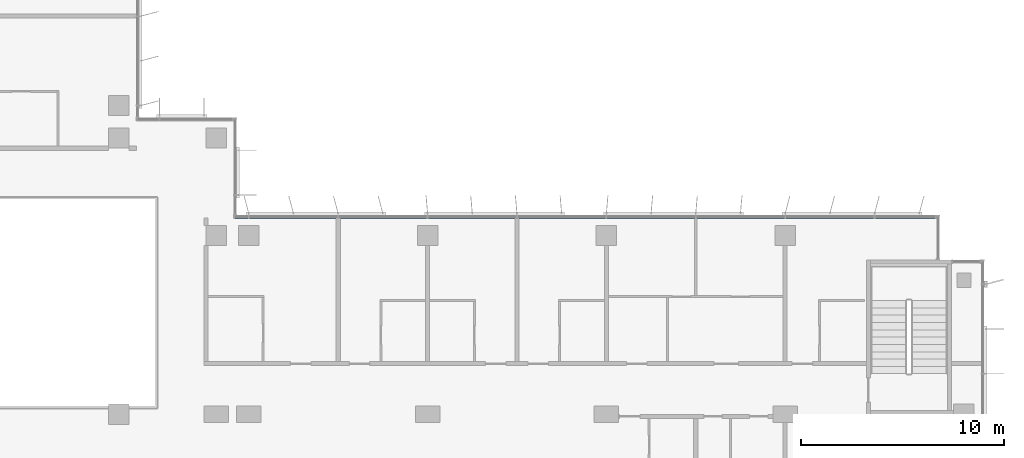
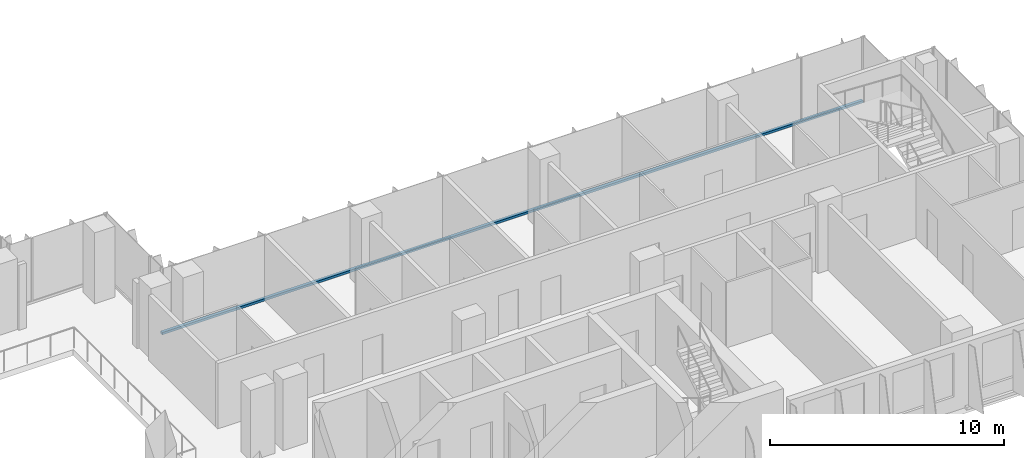
# One storey, part 3 of 21: 1 member, 1 element without a shape of its own.
"""IFC4 building model written with IfcOpenShell, lengths in metres."""

from ifc_helpers import new_model, si_unit, direction, frame, origin, origin_2d, place, context, subcontext, project, spatial, rectangle, extrude, material, material_profile, profile_set, type_object, element, aggregate, save


model = new_model("IFC4")

# Units and contexts
model_context = context("Model", 3, precision=1e-05, world=origin(), true_north=direction((0.0, 1.0)))
body_context = subcontext(model_context, "Body", "Model", "MODEL_VIEW")
ifc_project = project(units=[si_unit("LENGTHUNIT", "METRE"), si_unit("AREAUNIT", "SQUARE_METRE"), si_unit("VOLUMEUNIT", "CUBIC_METRE"), si_unit("PLANEANGLEUNIT", "RADIAN"), si_unit("MASSUNIT", "GRAM", prefix="KILO")], contexts=[model_context])

# Site, building, storey
site_placement = place(None, origin())
site = spatial("IfcSite", under=ifc_project, at=site_placement, CompositionType="ELEMENT")
building_placement = place(site_placement, origin())
building = spatial("IfcBuilding", under=site, at=building_placement, Name="Kemantara Hotel Tower", CompositionType="ELEMENT")
storey_placement = place(building_placement, frame((0.0, 0.0, 211.699951171875)))
storey = spatial("IfcBuildingStorey", under=building, at=storey_placement, Name="L52", CompositionType="ELEMENT", Elevation=211.699951171875)

# Curtain wall, member
ifc_material_1 = material(Name="Low-E tinted double insulated glass 36 mm", Category="glass")
curtain_wall_type = type_object("IfcCurtainWallType", Name="TOWER CURTAIN WALL, FRONT FACES", PredefinedType="USERDEFINED", material=ifc_material_1)
curtain_wall_placement = place(storey_placement, origin())
curtain_wall = element("IfcCurtainWall", 1, at=curtain_wall_placement, inside=storey, type_object=curtain_wall_type, Name="CW4 L52 T3-R14-1", ObjectType="TOWER CURTAIN WALL, FRONT FACES", PredefinedType="USERDEFINED")
ifc_material_2 = material(Name="Aluminium 6063-T6 bronze anodised", Category="aluminium")
ifc_material_profile = material_profile(ifc_material_2, rectangle(XDim=0.14990234375, YDim=0.1201171875, at=origin_2d()), Name="TOWER CURTAIN WALL, FRONT FACES TRANSOM")
ifc_profile_set = profile_set([ifc_material_profile], Name="Aluminium 6063-T6 bronze anodised")
member_type = type_object("IfcMemberType", Name="TOWER CURTAIN WALL, FRONT FACES TRANSOM", PredefinedType="USERDEFINED", material=ifc_profile_set)
member_placement = place(storey_placement, frame((61.25, 21.925048828125, 0.06005859375), z_axis=(-1.0, 0.0, 0.0), x_axis=(0.0, -1.0, 0.0)))
member = element("IfcMember", 2, at=member_placement, type_object=member_type, Name="CW4 sill transom T3-R14-1", ObjectType="TRANSOM", PredefinedType="USERDEFINED", context=body_context, shape_type="SweptSolid", body=[
    extrude(rectangle(XDim=0.14990234375, YDim=0.1201171875, at=origin_2d()), origin(), (0.0, 0.0, 1.0), 34.60009765625),
])
aggregate(curtain_wall, [member])

save(model, "model.ifc")
